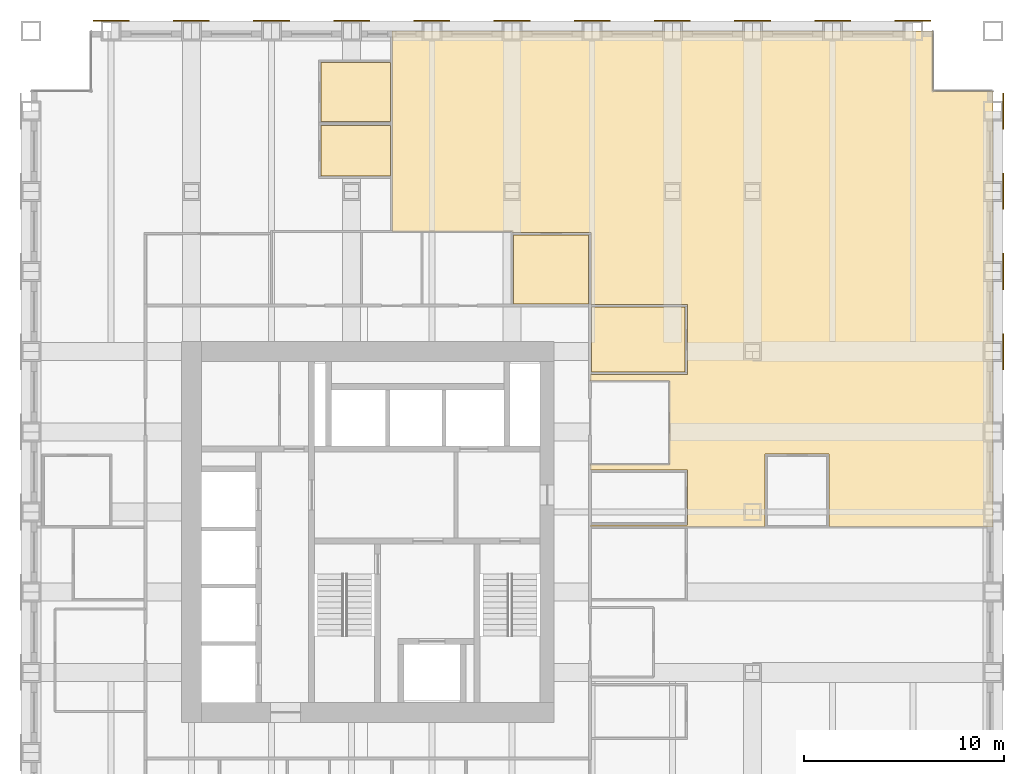
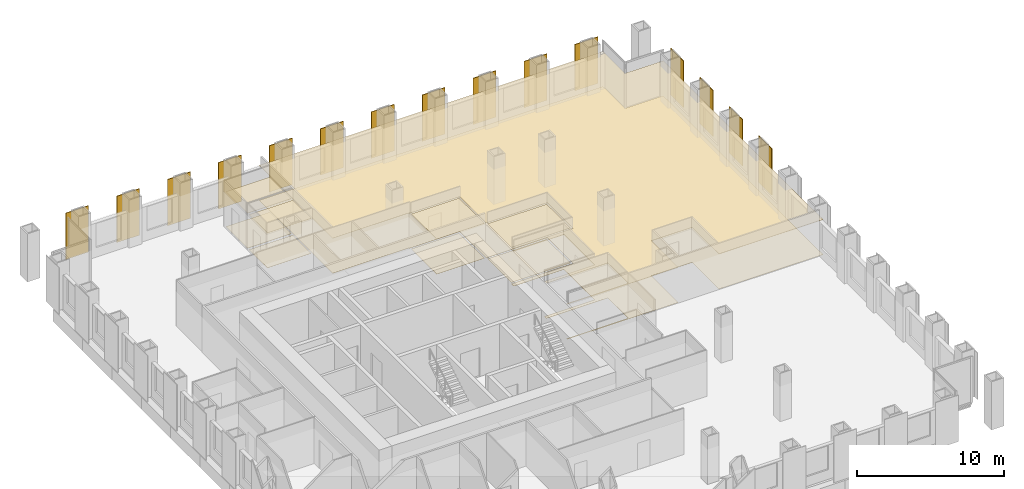
# One storey, part 16 of 16: 15 shading devices, 10 coverings.
"""IFC4 building model written with IfcOpenShell, lengths in metres."""

from ifc_helpers import new_model, si_unit, direction, frame, origin, origin_2d, place, context, subcontext, project, spatial, polyline, rectangle, outline, extrude, material, layer, layer_set, type_object, element, save


model = new_model("IFC4")

# Units and contexts
model_context = context("Model", 3, precision=1e-05, world=origin(), true_north=direction((0.0, 1.0)))
body_context = subcontext(model_context, "Body", "Model", "MODEL_VIEW")
ifc_project = project(units=[si_unit("LENGTHUNIT", "METRE"), si_unit("AREAUNIT", "SQUARE_METRE"), si_unit("VOLUMEUNIT", "CUBIC_METRE"), si_unit("PLANEANGLEUNIT", "RADIAN"), si_unit("MASSUNIT", "GRAM", prefix="KILO")], contexts=[model_context])

# Site, building, storey
site_placement = place(None, origin())
site = spatial("IfcSite", under=ifc_project, at=site_placement, CompositionType="ELEMENT")
building_placement = place(site_placement, origin())
building = spatial("IfcBuilding", under=site, at=building_placement, Name="Rimbunsela Tower", CompositionType="ELEMENT")
storey_placement = place(building_placement, frame((0.0, 0.0, 125.39990234375)))
storey = spatial("IfcBuildingStorey", under=building, at=storey_placement, Name="L30", CompositionType="ELEMENT", Elevation=125.39990234375)

# Coverings
ifc_material_1 = material(Name="Nylon carpet tile", Category="textile")
ifc_layer_1 = layer(ifc_material_1, 0.010009765625)
ifc_layer_set_1 = layer_set([ifc_layer_1], Name="Carpet tile 10")
covering_type_1 = type_object("IfcCoveringType", Name="Carpet tile 10", PredefinedType="FLOORING", material=ifc_layer_set_1)
covering_1_placement = place(storey_placement, origin())
element("IfcCovering", 1, at=covering_1_placement, inside=storey, type_object=covering_type_1, Name="Floor finish Open office", PredefinedType="FLOORING", context=body_context, shape_type="SweptSolid", body=[
    extrude(outline(polyline([(49.824951171875, 27.2509765625), (49.824951171875, 30.89990234375), (46.625, 30.89990234375), (46.625, 27.2509765625), (37.89990234375, 27.2509765625), (37.89990234375, 27.35009765625), (42.75, 27.35009765625), (42.75, 30.10009765625), (37.89990234375, 30.10009765625), (37.89990234375, 30.3759765625), (41.85009765625, 30.3759765625), (41.85009765625, 34.52587890625), (37.89990234375, 34.52587890625), (37.89990234375, 34.85009765625), (42.75, 34.85009765625), (42.75, 38.35009765625), (37.949951171875, 38.35009765625), (37.949951171875, 41.949951171875), (37.89990234375, 41.949951171875), (34.0, 41.949951171875), (34.0, 42.0), (28.0009765625, 42.0), (28.0009765625, 52.0), (37.89990234375, 52.0), (55.0, 52.0), (55.0, 49.0), (58.0, 49.0), (58.0, 27.2509765625), (49.824951171875, 27.2509765625)])), origin(), (0.0, 0.0, 1.0), 0.010009765625),
])
covering_2_placement = place(storey_placement, origin())
element("IfcCovering", 2, at=covering_2_placement, inside=storey, type_object=covering_type_1, Name="Floor finish Meeting room", PredefinedType="FLOORING", context=body_context, shape_type="SweptSolid", body=[
    extrude(outline(polyline([(37.824951171875, 38.375), (37.824951171875, 41.824951171875), (34.074951171875, 41.824951171875), (34.074951171875, 38.375), (37.824951171875, 38.375)])), origin(), (0.0, 0.0, 1.0), 0.010009765625),
])
covering_3_placement = place(storey_placement, origin())
element("IfcCovering", 3, at=covering_3_placement, inside=storey, type_object=covering_type_1, Name="Floor finish Print and copy room", PredefinedType="FLOORING", context=body_context, shape_type="SweptSolid", body=[
    extrude(outline(polyline([(27.925048828125, 44.77490234375), (27.925048828125, 47.27490234375), (24.47509765625, 47.27490234375), (24.47509765625, 44.77490234375), (27.925048828125, 44.77490234375)])), origin(), (0.0, 0.0, 1.0), 0.010009765625),
])
covering_4_placement = place(storey_placement, origin())
element("IfcCovering", 4, at=covering_4_placement, inside=storey, type_object=covering_type_1, Name="Floor finish Office", PredefinedType="FLOORING", context=body_context, shape_type="SweptSolid", body=[
    extrude(outline(polyline([(27.925048828125, 47.47509765625), (27.925048828125, 50.425048828125), (24.47509765625, 50.425048828125), (24.47509765625, 47.47509765625), (27.925048828125, 47.47509765625)])), origin(), (0.0, 0.0, 1.0), 0.010009765625),
])
covering_5_placement = place(storey_placement, origin())
element("IfcCovering", 5, at=covering_5_placement, inside=storey, type_object=covering_type_1, Name="Floor finish Pantry", PredefinedType="FLOORING", context=body_context, shape_type="SweptSolid", body=[
    extrude(outline(polyline([(42.625, 34.97509765625), (42.625, 38.22509765625), (37.97509765625, 38.22509765625), (37.97509765625, 34.97509765625), (42.625, 34.97509765625)])), origin(), (0.0, 0.0, 1.0), 0.010009765625),
])
ifc_material_2 = material(Name="Mineral fibre ceiling tile", Category="gypsum")
ifc_layer_2 = layer(ifc_material_2, 0.02001953125)
ifc_layer_set_2 = layer_set([ifc_layer_2], Name="Ceiling 600 grid")
covering_type_2 = type_object("IfcCoveringType", Name="Ceiling 600 grid", PredefinedType="CEILING", material=ifc_layer_set_2)
covering_6_placement = place(storey_placement, frame((0.0, 0.0, 2.900146484375)))
element("IfcCovering", 6, at=covering_6_placement, inside=storey, type_object=covering_type_2, Name="Ceiling Open office", PredefinedType="CEILING", context=body_context, shape_type="SweptSolid", body=[
    extrude(outline(polyline([(49.824951171875, 27.2509765625), (49.824951171875, 30.89990234375), (46.625, 30.89990234375), (46.625, 27.2509765625), (37.89990234375, 27.2509765625), (37.89990234375, 27.35009765625), (42.75, 27.35009765625), (42.75, 30.10009765625), (37.89990234375, 30.10009765625), (37.89990234375, 30.3759765625), (41.85009765625, 30.3759765625), (41.85009765625, 34.52587890625), (37.89990234375, 34.52587890625), (37.89990234375, 34.85009765625), (42.75, 34.85009765625), (42.75, 38.35009765625), (37.949951171875, 38.35009765625), (37.949951171875, 41.949951171875), (37.89990234375, 41.949951171875), (34.0, 41.949951171875), (34.0, 42.0), (28.0009765625, 42.0), (28.0009765625, 52.0), (37.89990234375, 52.0), (55.0, 52.0), (55.0, 49.0), (58.0, 49.0), (58.0, 27.2509765625), (49.824951171875, 27.2509765625)])), origin(), (0.0, 0.0, 1.0), 0.02001953125),
])
covering_7_placement = place(storey_placement, frame((0.0, 0.0, 2.900146484375)))
element("IfcCovering", 7, at=covering_7_placement, inside=storey, type_object=covering_type_2, Name="Ceiling Meeting room", PredefinedType="CEILING", context=body_context, shape_type="SweptSolid", body=[
    extrude(outline(polyline([(37.824951171875, 38.375), (37.824951171875, 41.824951171875), (34.074951171875, 41.824951171875), (34.074951171875, 38.375), (37.824951171875, 38.375)])), origin(), (0.0, 0.0, 1.0), 0.02001953125),
])
covering_8_placement = place(storey_placement, frame((0.0, 0.0, 2.900146484375)))
element("IfcCovering", 8, at=covering_8_placement, inside=storey, type_object=covering_type_2, Name="Ceiling Print and copy room", PredefinedType="CEILING", context=body_context, shape_type="SweptSolid", body=[
    extrude(outline(polyline([(27.925048828125, 44.77490234375), (27.925048828125, 47.27490234375), (24.47509765625, 47.27490234375), (24.47509765625, 44.77490234375), (27.925048828125, 44.77490234375)])), origin(), (0.0, 0.0, 1.0), 0.02001953125),
])
covering_9_placement = place(storey_placement, frame((0.0, 0.0, 2.900146484375)))
element("IfcCovering", 9, at=covering_9_placement, inside=storey, type_object=covering_type_2, Name="Ceiling Office", PredefinedType="CEILING", context=body_context, shape_type="SweptSolid", body=[
    extrude(outline(polyline([(27.925048828125, 47.47509765625), (27.925048828125, 50.425048828125), (24.47509765625, 50.425048828125), (24.47509765625, 47.47509765625), (27.925048828125, 47.47509765625)])), origin(), (0.0, 0.0, 1.0), 0.02001953125),
])
covering_10_placement = place(storey_placement, frame((0.0, 0.0, 2.900146484375)))
element("IfcCovering", 10, at=covering_10_placement, inside=storey, type_object=covering_type_2, Name="Ceiling Pantry", PredefinedType="CEILING", context=body_context, shape_type="SweptSolid", body=[
    extrude(outline(polyline([(42.625, 34.97509765625), (42.625, 38.22509765625), (37.97509765625, 38.22509765625), (37.97509765625, 34.97509765625), (42.625, 34.97509765625)])), origin(), (0.0, 0.0, 1.0), 0.02001953125),
])

# Shading devices
ifc_material_3 = material(Name="Perforated aluminium, 35 % open area", Category="aluminium")
ifc_layer_3 = layer(ifc_material_3, 0.050048828125)
ifc_layer_set_3 = layer_set([ifc_layer_3], Name="Solar screen panel 1800")
shading_device_type = type_object("IfcShadingDeviceType", Name="Solar screen panel 1800", PredefinedType="USERDEFINED", material=ifc_layer_set_3)
for number, where, z_axis, x_axis, name in (
    (11, (58.52490234375, 36.0, 0.0), (0.0, 0.0, 1.0), (0.0, 1.0, 0.0), "Solar screen E L30"),
    (12, (58.52490234375, 40.0, 0.0), (0.0, 0.0, 1.0), (0.0, 1.0, 0.0), "Solar screen E L30"),
    (13, (58.52490234375, 44.0, 0.0), (0.0, 0.0, 1.0), (0.0, 1.0, 0.0), "Solar screen E L30"),
    (14, (58.52490234375, 48.0, 0.0), (0.0, 0.0, 1.0), (0.0, 1.0, 0.0), "Solar screen E L30"),
    (15, (14.0, 52.52490234375, 0.0), (0.0, 0.0, 1.0), (1.0, 0.0, 0.0), "Solar screen N L30"),
    (16, (18.0, 52.52490234375, 0.0), (0.0, 0.0, 1.0), (1.0, 0.0, 0.0), "Solar screen N L30"),
    (17, (22.0, 52.52490234375, 0.0), (0.0, 0.0, 1.0), (1.0, 0.0, 0.0), "Solar screen N L30"),
    (18, (26.0, 52.52490234375, 0.0), (0.0, 0.0, 1.0), (1.0, 0.0, 0.0), "Solar screen N L30"),
    (19, (30.0, 52.52490234375, 0.0), (0.0, 0.0, 1.0), (1.0, 0.0, 0.0), "Solar screen N L30"),
    (20, (34.0, 52.52490234375, 0.0), (0.0, 0.0, 1.0), (1.0, 0.0, 0.0), "Solar screen N L30"),
    (21, (38.0, 52.52490234375, 0.0), (0.0, 0.0, 1.0), (1.0, 0.0, 0.0), "Solar screen N L30"),
    (22, (42.0, 52.52490234375, 0.0), (0.0, 0.0, 1.0), (1.0, 0.0, 0.0), "Solar screen N L30"),
    (23, (46.0, 52.52490234375, 0.0), (0.0, 0.0, 1.0), (1.0, 0.0, 0.0), "Solar screen N L30"),
    (24, (50.0, 52.52490234375, 0.0), (0.0, 0.0, 1.0), (1.0, 0.0, 0.0), "Solar screen N L30"),
    (25, (54.0, 52.52490234375, 0.0), (0.0, 0.0, 1.0), (1.0, 0.0, 0.0), "Solar screen N L30"),
):
    element("IfcShadingDevice", number, at=place(storey_placement, frame(where, z_axis=z_axis, x_axis=x_axis)), inside=storey, type_object=shading_device_type, Name=name, ObjectType="SCREEN", PredefinedType="USERDEFINED", context=body_context, shape_type="SweptSolid", body=[
        extrude(rectangle(XDim=1.800048828125, YDim=0.050048828125, at=origin_2d()), origin(), (0.0, 0.0, 1.0), 3.85009765625),
    ])

save(model, "model.ifc")
